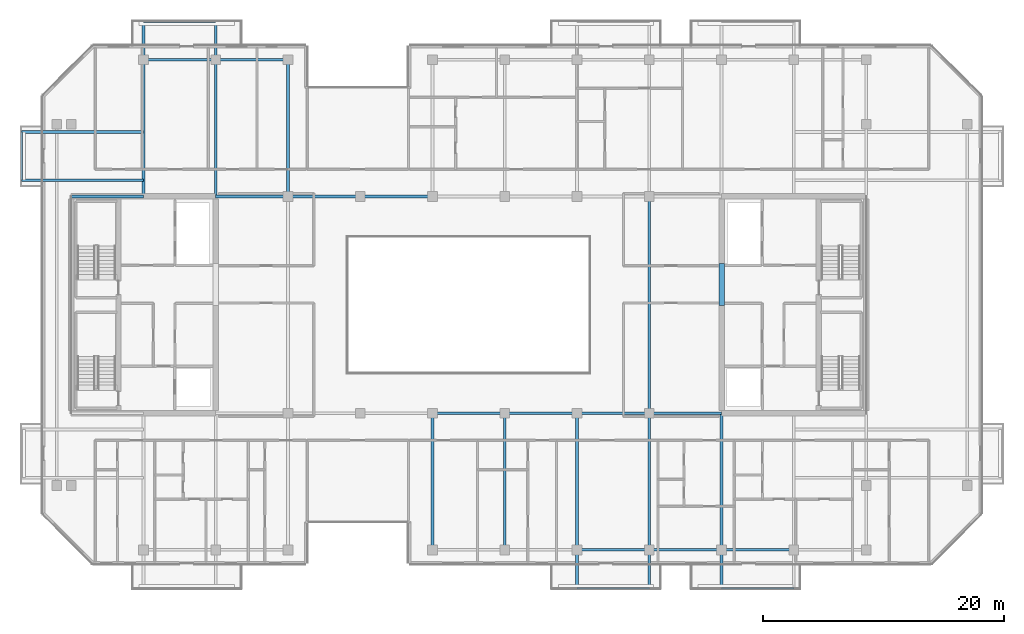
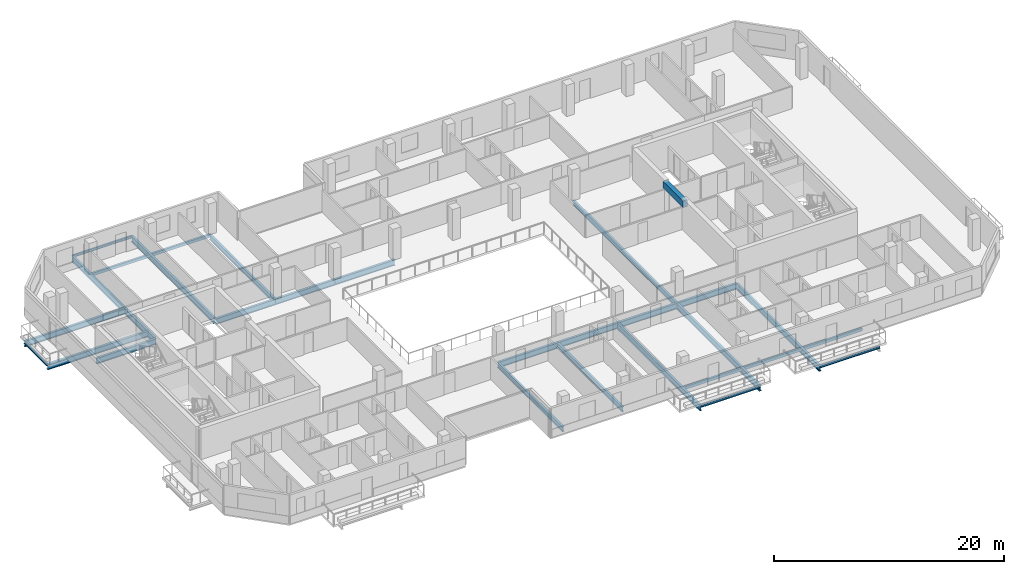
# One storey, part 5 of 20: 29 beams.
"""IFC4 building model written with IfcOpenShell, lengths in metres."""

from ifc_helpers import new_model, si_unit, direction, frame, origin, origin_2d, place, context, subcontext, project, spatial, rectangle, hollow_rectangle, i_section, extrude, material, material_profile, profile_set, type_object, element, save


model = new_model("IFC4")

# Units and contexts
model_context = context("Model", 3, precision=1e-05, world=origin(), true_north=direction((0.0, 1.0)))
body_context = subcontext(model_context, "Body", "Model", "MODEL_VIEW")
ifc_project = project(units=[si_unit("LENGTHUNIT", "METRE"), si_unit("AREAUNIT", "SQUARE_METRE"), si_unit("VOLUMEUNIT", "CUBIC_METRE"), si_unit("PLANEANGLEUNIT", "RADIAN"), si_unit("MASSUNIT", "GRAM", prefix="KILO")], contexts=[model_context])

# Site, building, storey
site_placement = place(None, origin())
site = spatial("IfcSite", under=ifc_project, at=site_placement, CompositionType="ELEMENT")
building_placement = place(site_placement, origin())
building = spatial("IfcBuilding", under=site, at=building_placement, Name="Tanjung Sevakor Pilgrim Tower", CompositionType="ELEMENT")
storey_placement = place(building_placement, frame((0.0, 0.0, 201.6298828125)))
storey = spatial("IfcBuildingStorey", under=building, at=storey_placement, Name="L56", CompositionType="ELEMENT", Elevation=201.6298828125)

# Beams
ifc_material_1 = material(Name="Steel S355J2", Category="steel")
ifc_material_profile_1 = material_profile(ifc_material_1, i_section(OverallWidth=0.22900390625, OverallDepth=0.6123046875, WebThickness=0.011962890625, FlangeThickness=0.01953125, FilletRadius=0.0126953125, at=origin_2d()))
ifc_profile_set_1 = profile_set([ifc_material_profile_1], Name="Steel S355J2")
beam_type_1 = type_object("IfcBeamType", Name="BM-B-G4-UB_610x229x125", PredefinedType="BEAM", material=ifc_profile_set_1)
for number, where, z_axis, x_axis, name in (
    (1, (30.0, 43.949951171875, -0.52587890625), (-1.0, 0.0, 0.0), (0.0, -1.0, 0.0), "L56 Balcony Overhanging Beam MAIN-W2-1"),
    (2, (30.0, 47.949951171875, -0.52587890625), (-1.0, 0.0, 0.0), (0.0, -1.0, 0.0), "L56 Balcony Overhanging Beam MAIN-W2-2"),
):
    element("IfcBeam", number, at=place(storey_placement, frame(where, z_axis=z_axis, x_axis=x_axis)), inside=storey, type_object=beam_type_1, Name=name, PredefinedType="BEAM", context=body_context, shape_type="SweptSolid", body=[
        extrude(i_section(OverallWidth=0.22900390625, OverallDepth=0.6123046875, WebThickness=0.011962890625, FlangeThickness=0.01953125, FilletRadius=0.0126953125, at=origin_2d()), origin(), (0.0, 0.0, 1.0), 10.1298828125),
    ])
for number, where, z_axis, x_axis, name in (
    (3, (54.0, 24.60009765625, -0.52587890625), (1.0, 0.0, 0.0), (0.0, 1.0, 0.0), "L56 Primary Floor Girder MAIN Y246-05"),
    (4, (60.0, 24.60009765625, -0.52587890625), (1.0, 0.0, 0.0), (0.0, 1.0, 0.0), "L56 Primary Floor Girder MAIN Y246-06"),
    (5, (66.0, 24.60009765625, -0.52587890625), (1.0, 0.0, 0.0), (0.0, 1.0, 0.0), "L56 Primary Floor Girder MAIN Y246-07"),
    (6, (72.0, 24.60009765625, -0.52587890625), (1.0, 0.0, 0.0), (0.0, 1.0, 0.0), "L56 Primary Floor Girder MAIN Y246-08"),
    (7, (24.0, 42.60009765625, -0.52587890625), (1.0, 0.0, 0.0), (0.0, 1.0, 0.0), "L56 Primary Floor Girder MAIN Y426-01"),
    (8, (36.0, 42.60009765625, -0.52587890625), (1.0, 0.0, 0.0), (0.0, 1.0, 0.0), "L56 Primary Floor Girder MAIN Y426-02"),
    (9, (42.0, 42.60009765625, -0.52587890625), (1.0, 0.0, 0.0), (0.0, 1.0, 0.0), "L56 Primary Floor Girder MAIN Y426-03"),
    (10, (48.0, 42.60009765625, -0.52587890625), (1.0, 0.0, 0.0), (0.0, 1.0, 0.0), "L56 Primary Floor Girder MAIN Y426-04"),
):
    element("IfcBeam", number, at=place(storey_placement, frame(where, z_axis=z_axis, x_axis=x_axis)), inside=storey, type_object=beam_type_1, Name=name, PredefinedType="BEAM", context=body_context, shape_type="SweptSolid", body=[
        extrude(i_section(OverallWidth=0.22900390625, OverallDepth=0.6123046875, WebThickness=0.011962890625, FlangeThickness=0.01953125, FilletRadius=0.0126953125, at=origin_2d()), origin(), (0.0, 0.0, 1.0), 6.0),
    ])
for number, where, z_axis, x_axis, name in (
    (11, (30.0, 42.714599609375, -0.52587890625), (0.0, 1.0, 0.0), (-1.0, 0.0, 0.0), "L56 Balcony Cantilever Beam MAIN-N1-1"),
    (12, (36.0, 42.714599609375, -0.52587890625), (0.0, 1.0, 0.0), (-1.0, 0.0, 0.0), "L56 Balcony Cantilever Beam MAIN-N1-2"),
):
    element("IfcBeam", number, at=place(storey_placement, frame(where, z_axis=z_axis, x_axis=x_axis)), inside=storey, type_object=beam_type_1, Name=name, PredefinedType="BEAM", context=body_context, shape_type="SweptSolid", body=[
        extrude(i_section(OverallWidth=0.22900390625, OverallDepth=0.6123046875, WebThickness=0.011962890625, FlangeThickness=0.01953125, FilletRadius=0.0126953125, at=origin_2d()), origin(), (0.0, 0.0, 1.0), 14.415283203125),
    ])
for number, where, z_axis, x_axis, name in (
    (13, (66.0, 24.60009765625, -0.52587890625), (0.0, -1.0, 0.0), (1.0, 0.0, 0.0), "L56 Balcony Cantilever Beam MAIN-S2-1"),
    (14, (72.0, 24.60009765625, -0.52587890625), (0.0, -1.0, 0.0), (1.0, 0.0, 0.0), "L56 Balcony Cantilever Beam MAIN-S2-2"),
):
    element("IfcBeam", number, at=place(storey_placement, frame(where, z_axis=z_axis, x_axis=x_axis)), inside=storey, type_object=beam_type_1, Name=name, PredefinedType="BEAM", context=body_context, shape_type="SweptSolid", body=[
        extrude(i_section(OverallWidth=0.22900390625, OverallDepth=0.6123046875, WebThickness=0.011962890625, FlangeThickness=0.01953125, FilletRadius=0.0126953125, at=origin_2d()), origin(), (0.0, 0.0, 1.0), 14.530029296875),
    ])
beam_1_placement = place(storey_placement, frame((78.0, 24.485595703125, -0.52587890625), z_axis=(0.0, -1.0, 0.0), x_axis=(1.0, 0.0, 0.0)))
element("IfcBeam", 15, at=beam_1_placement, inside=storey, type_object=beam_type_1, Name="L56 Balcony Cantilever Beam MAIN-S3-1", PredefinedType="BEAM", context=body_context, shape_type="SweptSolid", body=[
    extrude(i_section(OverallWidth=0.22900390625, OverallDepth=0.6123046875, WebThickness=0.011962890625, FlangeThickness=0.01953125, FilletRadius=0.0126953125, at=origin_2d()), origin(), (0.0, 0.0, 1.0), 14.41552734375),
])
ifc_material_2 = material(Name="Steel S355J2", Category="steel")
ifc_material_profile_2 = material_profile(ifc_material_2, i_section(OverallWidth=0.2119140625, OverallDepth=0.54443359375, WebThickness=0.0126953125, FlangeThickness=0.021240234375, FilletRadius=0.0126953125, at=origin_2d()))
ifc_profile_set_2 = profile_set([ifc_material_profile_2], Name="Steel S355J2")
beam_type_2 = type_object("IfcBeamType", Name="BM-B-G5-UB_533x210x122", PredefinedType="BEAM", material=ifc_profile_set_2)
beam_2_placement = place(storey_placement, frame((42.0, 42.60009765625, -0.4921875), z_axis=(0.0, 1.0, 0.0), x_axis=(-1.0, 0.0, 0.0)))
element("IfcBeam", 16, at=beam_2_placement, inside=storey, type_object=beam_type_2, Name="L56 MAIN Girder 003", PredefinedType="BEAM", context=body_context, shape_type="SweptSolid", body=[
    extrude(i_section(OverallWidth=0.2119140625, OverallDepth=0.54443359375, WebThickness=0.0126953125, FlangeThickness=0.021240234375, FilletRadius=0.0126953125, at=origin_2d()), origin(), (0.0, 0.0, 1.0), 11.349853515625),
])
for number, where, z_axis, x_axis, name in (
    (17, (54.0, 13.25, -0.4921875), (0.0, 1.0, 0.0), (-1.0, 0.0, 0.0), "L56 MAIN Girder 004"),
    (18, (60.0, 13.25, -0.4921875), (0.0, 1.0, 0.0), (-1.0, 0.0, 0.0), "L56 MAIN Girder 006"),
):
    element("IfcBeam", number, at=place(storey_placement, frame(where, z_axis=z_axis, x_axis=x_axis)), inside=storey, type_object=beam_type_2, Name=name, PredefinedType="BEAM", context=body_context, shape_type="SweptSolid", body=[
        extrude(i_section(OverallWidth=0.2119140625, OverallDepth=0.54443359375, WebThickness=0.0126953125, FlangeThickness=0.021240234375, FilletRadius=0.0126953125, at=origin_2d()), origin(), (0.0, 0.0, 1.0), 11.35009765625),
    ])
beam_3_placement = place(storey_placement, frame((72.0, 24.60009765625, -0.4921875), z_axis=(0.0, 1.0, 0.0), x_axis=(-1.0, 0.0, 0.0)))
element("IfcBeam", 19, at=beam_3_placement, inside=storey, type_object=beam_type_2, Name="L56 MAIN Girder 008", PredefinedType="BEAM", context=body_context, shape_type="SweptSolid", body=[
    extrude(i_section(OverallWidth=0.2119140625, OverallDepth=0.54443359375, WebThickness=0.0126953125, FlangeThickness=0.021240234375, FilletRadius=0.0126953125, at=origin_2d()), origin(), (0.0, 0.0, 1.0), 18.0),
])
ifc_material_3 = material(Name="Steel S355J2", Category="steel")
ifc_material_profile_3 = material_profile(ifc_material_3, i_section(OverallWidth=0.146484375, OverallDepth=0.256103515625, WebThickness=0.00634765625, FlangeThickness=0.010986328125, FilletRadius=0.007568359375, at=origin_2d()))
ifc_profile_set_3 = profile_set([ifc_material_profile_3], Name="Steel S355J2")
beam_type_3 = type_object("IfcBeamType", Name="BM-B-J6-UB_254x146x37", PredefinedType="JOIST", material=ifc_profile_set_3)
for number, where, z_axis, x_axis, name in (
    (20, (30.0, 57.1298828125, -0.327880859375), (1.0, 0.0, 0.0), (0.0, 1.0, 0.0), "L56 Balcony Rim Tie MAIN-N1"),
    (21, (66.0, 10.070068359375, -0.327880859375), (1.0, 0.0, 0.0), (0.0, 1.0, 0.0), "L56 Balcony Rim Tie MAIN-S2"),
    (22, (78.0, 10.070068359375, -0.327880859375), (1.0, 0.0, 0.0), (0.0, 1.0, 0.0), "L56 Balcony Rim Tie MAIN-S3"),
):
    element("IfcBeam", number, at=place(storey_placement, frame(where, z_axis=z_axis, x_axis=x_axis)), inside=storey, type_object=beam_type_3, Name=name, PredefinedType="JOIST", context=body_context, shape_type="SweptSolid", body=[
        extrude(i_section(OverallWidth=0.146484375, OverallDepth=0.256103515625, WebThickness=0.00634765625, FlangeThickness=0.010986328125, FilletRadius=0.007568359375, at=origin_2d()), origin(), (0.0, 0.0, 1.0), 6.0),
    ])
beam_4_placement = place(storey_placement, frame((19.8701171875, 43.949951171875, -0.327880859375), z_axis=(0.0, 1.0, 0.0), x_axis=(-1.0, 0.0, 0.0)))
element("IfcBeam", 23, at=beam_4_placement, inside=storey, type_object=beam_type_3, Name="L56 Balcony Rim Tie MAIN-W2", PredefinedType="JOIST", context=body_context, shape_type="SweptSolid", body=[
    extrude(i_section(OverallWidth=0.146484375, OverallDepth=0.256103515625, WebThickness=0.00634765625, FlangeThickness=0.010986328125, FilletRadius=0.007568359375, at=origin_2d()), origin(), (0.0, 0.0, 1.0), 4.0),
])
ifc_material_4 = material(Name="Concrete C60/75", Category="concrete")
ifc_material_profile_4 = material_profile(ifc_material_4, rectangle(XDim=0.449951171875, YDim=0.699951171875, at=origin_2d()))
ifc_profile_set_4 = profile_set([ifc_material_profile_4], Name="Concrete C60/75")
beam_type_4 = type_object("IfcBeamType", Name="BM-B-LN3-RC-BM_450x700", PredefinedType="LINTEL", material=ifc_profile_set_4)
beam_5_placement = place(storey_placement, frame((78.0, 33.550048828125, 2.730224609375), z_axis=(0.0, 1.0, 0.0), x_axis=(-1.0, 0.0, 0.0)))
element("IfcBeam", 24, at=beam_5_placement, inside=storey, type_object=beam_type_4, Name="L56 E Core Coupling Lintel", PredefinedType="LINTEL", context=body_context, shape_type="SweptSolid", body=[
    extrude(rectangle(XDim=0.449951171875, YDim=0.699951171875, at=origin_2d()), origin(), (0.0, 0.0, 1.0), 3.5),
])
ifc_material_5 = material(Name="Steel S355J2", Category="steel")
ifc_material_profile_5 = material_profile(ifc_material_5, hollow_rectangle(XDim=0.199951171875, YDim=0.300048828125, WallThickness=0.012451171875, at=origin_2d()))
ifc_profile_set_5 = profile_set([ifc_material_profile_5], Name="Steel S355J2")
beam_type_5 = type_object("IfcBeamType", Name="BM-B-SP3-RHS_300x200x12.5", PredefinedType="SPANDREL", material=ifc_profile_set_5)
for number, where, z_axis, x_axis, name in (
    (25, (30.0, 53.949951171875, -0.369873046875), (1.0, 0.0, 0.0), (0.0, 1.0, 0.0), "L56 Spandrel MAIN N-02"),
    (26, (36.0, 53.949951171875, -0.369873046875), (1.0, 0.0, 0.0), (0.0, 1.0, 0.0), "L56 Spandrel MAIN N-04"),
    (27, (66.0, 13.25, -0.369873046875), (1.0, 0.0, 0.0), (0.0, 1.0, 0.0), "L56 Spandrel MAIN S-09"),
    (28, (72.0, 13.25, -0.369873046875), (1.0, 0.0, 0.0), (0.0, 1.0, 0.0), "L56 Spandrel MAIN S-11"),
    (29, (78.0, 13.25, -0.369873046875), (1.0, 0.0, 0.0), (0.0, 1.0, 0.0), "L56 Spandrel MAIN S-13"),
):
    element("IfcBeam", number, at=place(storey_placement, frame(where, z_axis=z_axis, x_axis=x_axis)), inside=storey, type_object=beam_type_5, Name=name, PredefinedType="SPANDREL", context=body_context, shape_type="SweptSolid", body=[
        extrude(hollow_rectangle(XDim=0.199951171875, YDim=0.300048828125, WallThickness=0.012451171875, at=origin_2d()), origin(), (0.0, 0.0, 1.0), 6.0),
    ])

save(model, "model.ifc")
